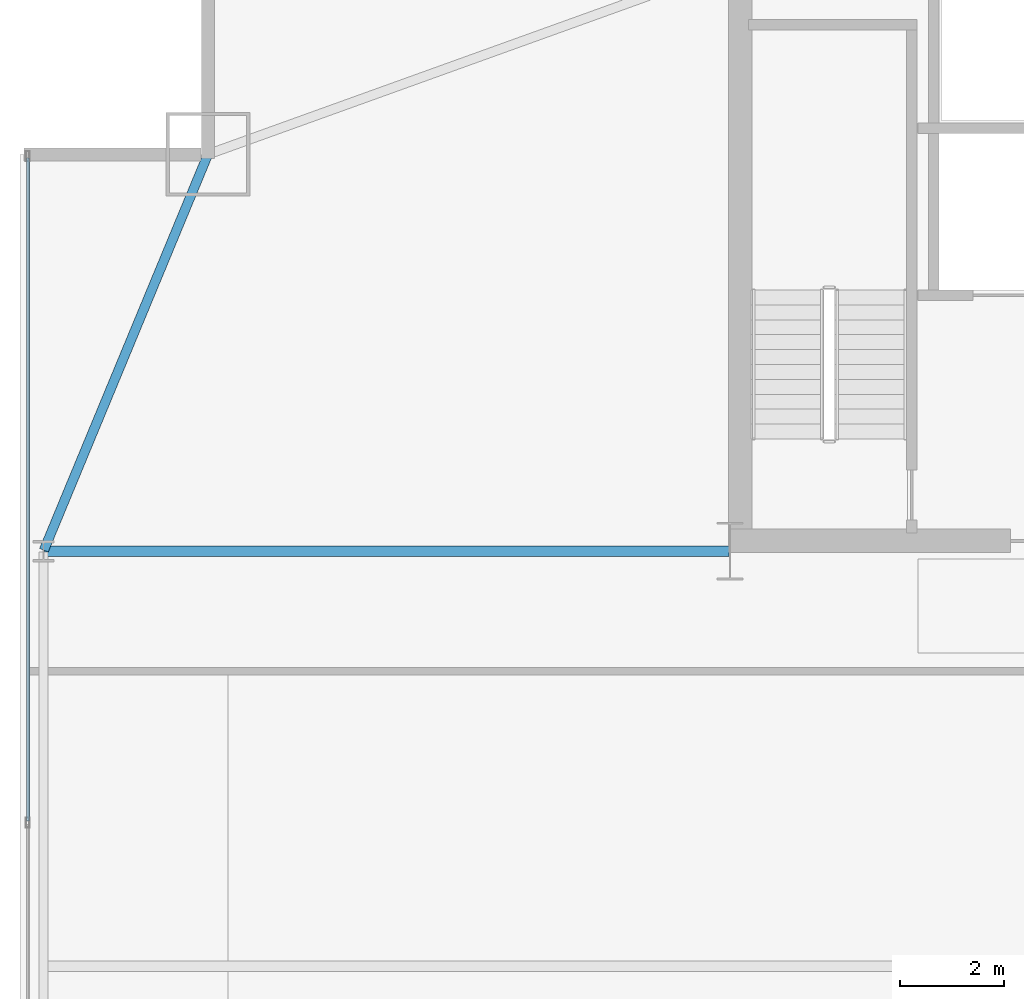
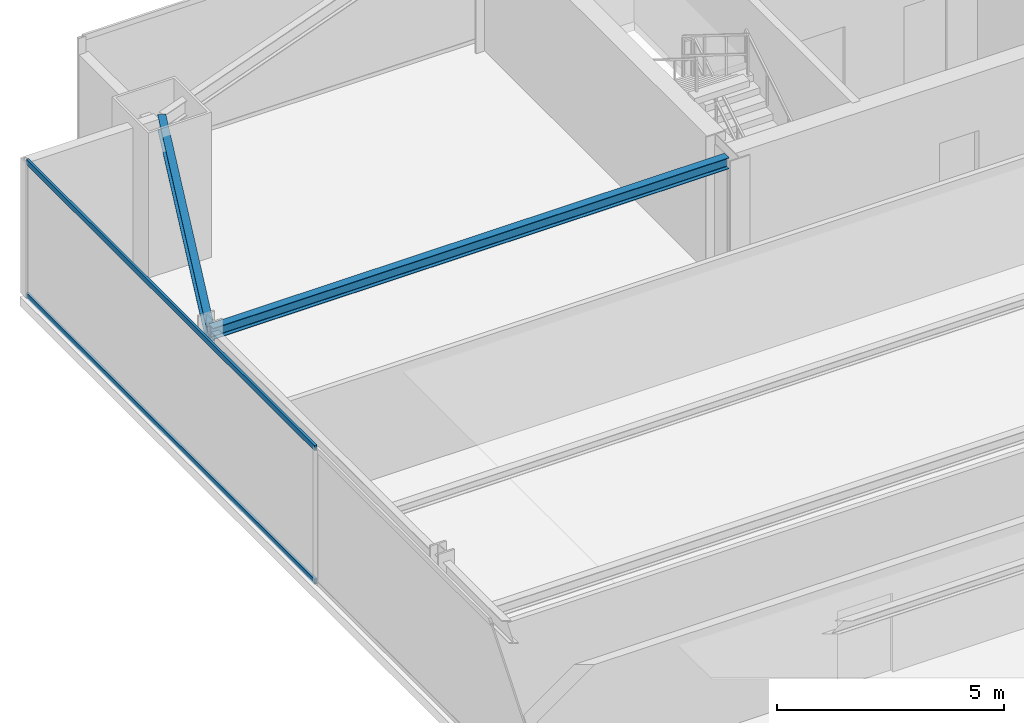
# One storey, part 19 of 31: 2 beams, 2 members, 1 element without a shape of its own.
"""IFC4 building model written with IfcOpenShell, lengths in metres."""

import ifcopenshell
import ifcopenshell.guid

model = None  # the IFC model being written
_history = None  # IfcOwnerHistory: only IFC2X3 demands one
_inside = {}  # id of a spatial element -> (the spatial element, [elements in it])
_under = {}  # id of a project, library or spatial element -> (it, [spatial elements below it])
_declared = {}  # id of a project -> (the project, [libraries it declares])
_typed = {}  # id of a type object -> (the type object, [elements of that type])
_made_of = {}  # id of a material, layer set ... -> (it, [elements and type objects made of it])


def new_model(schema):
    """Start an empty IFC model of exactly this schema.

    Asked for "IFC4X3", IfcOpenShell would pick the latest addendum, in which some entities
    have other attributes; the version numbers below select the first issue.
    IFC2X3 requires an IfcOwnerHistory on every rooted entity: one is made here for all.
    """
    global model, _history
    if schema == "IFC4X3":
        model = ifcopenshell.file(schema_version=(4, 3, 0, 0))
    else:
        model = ifcopenshell.file(schema=schema)
    _inside.clear()
    _under.clear()
    _declared.clear()
    _typed.clear()
    _made_of.clear()
    _history = None
    if model.schema == "IFC2X3":
        org = make("IfcOrganization", Name="unknown")
        user = make(
            "IfcPersonAndOrganization",
            ThePerson=make("IfcPerson", FamilyName="unknown"),
            TheOrganization=org,
        )
        app = make(
            "IfcApplication",
            ApplicationDeveloper=org,
            Version="unknown",
            ApplicationFullName="unknown",
            ApplicationIdentifier="unknown",
        )
        _history = make(
            "IfcOwnerHistory",
            OwningUser=user,
            OwningApplication=app,
            ChangeAction="ADDED",
            CreationDate=0,
        )
    return model


def make(cls, **values):
    """One entity of the class cls with the attributes given. An attribute that is None is left unset."""
    return model.create_entity(
        cls, **{name: value for name, value in values.items() if value is not None}
    )


def rooted(cls, **values):
    """An entity with a GlobalId (a new one), such as an element, a storey or a relation."""
    return make(cls, GlobalId=ifcopenshell.guid.new(), OwnerHistory=_history, **values)


def si_unit(unit_type, name, prefix=None):
    """IfcSIUnit, for example si_unit("LENGTHUNIT", "METRE", prefix="MILLI")."""
    return make("IfcSIUnit", UnitType=unit_type, Prefix=prefix, Name=name)


def assignment(units):
    """IfcUnitAssignment: the units of a project."""
    return None if units is None else make("IfcUnitAssignment", Units=units)


def point(xyz):
    """IfcCartesianPoint."""
    return None if xyz is None else make("IfcCartesianPoint", Coordinates=xyz)


def direction(xyz):
    """IfcDirection."""
    return None if xyz is None else make("IfcDirection", DirectionRatios=xyz)


def frame(location, z_axis=None, x_axis=None):
    """IfcAxis2Placement3D, a coordinate frame: its origin and axes. An axis left out is left unset."""
    return make(
        "IfcAxis2Placement3D",
        Location=point(location),
        Axis=direction(z_axis),
        RefDirection=direction(x_axis),
    )


def frame_2d(location, x_axis=None):
    """IfcAxis2Placement2D, a coordinate frame in the plane: its origin and x axis."""
    return make(
        "IfcAxis2Placement2D", Location=point(location), RefDirection=direction(x_axis)
    )


def origin():
    """The frame at (0, 0, 0) with its axes left unset."""
    return frame((0.0, 0.0, 0.0))


def origin_2d():
    """The frame at (0, 0) in the plane with its x axis left unset."""
    return frame_2d((0.0, 0.0))


def place(relative_to, where):
    """IfcLocalPlacement: puts the frame where relative to a parent placement (None: the world)."""
    return make(
        "IfcLocalPlacement", PlacementRelTo=relative_to, RelativePlacement=where
    )


def context(
    kind, dimensions, precision=None, world=None, true_north=None, identifier=None
):
    """IfcGeometricRepresentationContext, for example the 3D "Model" context."""
    return make(
        "IfcGeometricRepresentationContext",
        ContextIdentifier=identifier,
        ContextType=kind,
        CoordinateSpaceDimension=dimensions,
        Precision=precision,
        WorldCoordinateSystem=world,
        TrueNorth=true_north,
    )


def subcontext(parent, identifier, kind, view, scale=None):
    """IfcGeometricRepresentationSubContext, for example "Body" below "Model"."""
    return make(
        "IfcGeometricRepresentationSubContext",
        ContextIdentifier=identifier,
        ContextType=kind,
        ParentContext=parent,
        TargetScale=scale,
        TargetView=view,
    )


def project(units=None, contexts=None):
    """IfcProject with its units and contexts."""
    return rooted(
        "IfcProject",
        Name="project",
        RepresentationContexts=contexts,
        UnitsInContext=assignment(units),
    )


def spatial(cls, under=None, at=None, **own):
    """A site, building, storey or space (cls), placed at a placement, below another one or the project."""
    s = rooted(cls, ObjectPlacement=at, **own)
    if under is not None:
        _under.setdefault(under.id(), (under, []))[1].append(s)
    return s


def profile(cls, at=None, kind="AREA", **sizes):
    """A parametric profile (cls). Its sizes go by their IFC names, for example OverallWidth=200.0."""
    return make(cls, ProfileType=kind, Position=at, **sizes)


def hollow_rectangle(**sizes):
    """IfcRectangleHollowProfileDef."""
    return profile("IfcRectangleHollowProfileDef", **sizes)


def i_section(**sizes):
    """IfcIShapeProfileDef."""
    return profile("IfcIShapeProfileDef", **sizes)


def extrude(swept, where, along, depth):
    """IfcExtrudedAreaSolid: the profile swept, set in the frame where, extruded along a direction by depth."""
    return make(
        "IfcExtrudedAreaSolid",
        SweptArea=swept,
        Position=where,
        ExtrudedDirection=direction(along),
        Depth=depth,
    )


def shape(context_of_items, identifier, shape_type, items):
    """IfcShapeRepresentation: the items that make up one representation, for example the "Body"."""
    return make(
        "IfcShapeRepresentation",
        ContextOfItems=context_of_items,
        RepresentationIdentifier=identifier,
        RepresentationType=shape_type,
        Items=items,
    )


def source(mapping_origin, context_of_items, identifier, shape_type, items):
    """IfcRepresentationMap: a shape defined once, which mapped items show again and again."""
    return make(
        "IfcRepresentationMap",
        MappingOrigin=mapping_origin,
        MappedRepresentation=shape(context_of_items, identifier, shape_type, items),
    )


def transform(
    local_origin,
    x_axis=None,
    y_axis=None,
    z_axis=None,
    scale=None,
    scale2=None,
    scale3=None,
    uniform=True,
):
    """IfcCartesianTransformationOperator3D, or its non-uniform kind. x_axis, y_axis, z_axis: its Axis1, 2, 3."""
    if uniform:
        return make(
            "IfcCartesianTransformationOperator3D",
            Axis1=direction(x_axis),
            Axis2=direction(y_axis),
            LocalOrigin=point(local_origin),
            Scale=scale,
            Axis3=direction(z_axis),
        )
    return make(
        "IfcCartesianTransformationOperator3DnonUniform",
        Axis1=direction(x_axis),
        Axis2=direction(y_axis),
        LocalOrigin=point(local_origin),
        Scale=scale,
        Axis3=direction(z_axis),
        Scale2=scale2,
        Scale3=scale3,
    )


def mapped(mapping_source, mapping_target):
    """IfcMappedItem: shows the shape of a source again, moved by a transform."""
    return make(
        "IfcMappedItem", MappingSource=mapping_source, MappingTarget=mapping_target
    )


def material(Name=None, Category=None):
    """IfcMaterial."""
    return make("IfcMaterial", Name=Name, Category=Category)


def layer(
    of_material, thickness, ventilated=None, Name=None, Category=None, Priority=None
):
    """IfcMaterialLayer: one layer of a wall or slab, of a material (None: an air gap)."""
    return make(
        "IfcMaterialLayer",
        Material=of_material,
        LayerThickness=thickness,
        IsVentilated=ventilated,
        Name=Name,
        Category=Category,
        Priority=Priority,
    )


def layer_set(layers, Name=None):
    """IfcMaterialLayerSet."""
    return make("IfcMaterialLayerSet", MaterialLayers=layers, LayerSetName=Name)


def material_profile(
    of_material, cross_section, Name=None, Category=None, Priority=None
):
    """IfcMaterialProfile: a cross section and its material."""
    return make(
        "IfcMaterialProfile",
        Name=Name,
        Material=of_material,
        Profile=cross_section,
        Priority=Priority,
        Category=Category,
    )


def profile_set(profiles, Name=None, composite=None):
    """IfcMaterialProfileSet."""
    return make(
        "IfcMaterialProfileSet",
        Name=Name,
        MaterialProfiles=profiles,
        CompositeProfile=composite,
    )


def made_of(thing, what):
    """Note that an element or type object is made of a material, layer set ...; save() writes the relation."""
    if what is not None:
        _made_of.setdefault(what.id(), (what, []))[1].append(thing)
    return thing


def type_object(cls, material=None, **own):
    """A type object (cls), such as IfcWallType, which elements share."""
    return made_of(rooted(cls, **own), material)


def type_shapes(of_type, sources):
    """Give a type object the sources (RepresentationMaps) that its elements show as mapped items."""
    of_type.RepresentationMaps = sources


def element(
    cls,
    number,
    at=None,
    inside=None,
    cuts=None,
    type_object=None,
    material=None,
    context=None,
    identifier="Body",
    shape_type=None,
    held_by="IfcProductDefinitionShape",
    body=None,
    shapes=None,
    **own,
):
    """One element of the class cls, such as IfcWall. Its Tag is "e" and its number.

    at: its placement. inside: the storey or other place that contains it. cuts: it is an
    opening in that element (IfcRelVoidsElement). A single representation is given by context,
    identifier, shape_type and body (its items); several are given by shapes. held_by: the class
    of the entity that holds the representations. save() writes the other relations.
    """
    e = rooted(cls, Tag="e%d" % number, ObjectPlacement=at, **own)
    if body is not None:
        shapes = [shape(context, identifier, shape_type, body)]
    if shapes is not None:
        e.Representation = make(held_by, Representations=shapes)
    if inside is not None:
        _inside.setdefault(inside.id(), (inside, []))[1].append(e)
    if cuts is not None:
        rooted(
            "IfcRelVoidsElement", RelatingBuildingElement=cuts, RelatedOpeningElement=e
        )
    if type_object is not None:
        _typed.setdefault(type_object.id(), (type_object, []))[1].append(e)
    return made_of(e, material)


def aggregate(whole, parts):
    """IfcRelAggregates: a whole, such as a stair, and the parts it consists of."""
    return rooted("IfcRelAggregates", RelatingObject=whole, RelatedObjects=parts)


def save(model, path):
    """Write the relations noted so far, then the file.

    IfcRelAggregates (storeys below a building ...), IfcRelContainedInSpatialStructure (elements
    in a storey), IfcRelDefinesByType, IfcRelAssociatesMaterial and IfcRelDeclares: one each for
    every whole, place, type object, material and project.
    """
    for whole, parts in _under.values():
        aggregate(whole, parts)
    for where, things in _inside.values():
        rooted(
            "IfcRelContainedInSpatialStructure",
            RelatedElements=things,
            RelatingStructure=where,
        )
    for kind, things in _typed.values():
        rooted("IfcRelDefinesByType", RelatedObjects=things, RelatingType=kind)
    for what, things in _made_of.values():
        rooted("IfcRelAssociatesMaterial", RelatedObjects=things, RelatingMaterial=what)
    for by, libraries in _declared.values():
        rooted("IfcRelDeclares", RelatingContext=by, RelatedDefinitions=libraries)
    model.write(path)


model = new_model("IFC4")

# Units and contexts
model_context = context("Model", 3, precision=1e-05, world=origin(), true_north=direction((0.0, 1.0)))
body_context = subcontext(model_context, "Body", "Model", "MODEL_VIEW")
ifc_project = project(units=[si_unit("LENGTHUNIT", "METRE"), si_unit("AREAUNIT", "SQUARE_METRE"), si_unit("VOLUMEUNIT", "CUBIC_METRE"), si_unit("PLANEANGLEUNIT", "RADIAN"), si_unit("MASSUNIT", "GRAM", prefix="KILO")], contexts=[model_context])

# Site, building, storey
site_placement = place(None, origin())
site = spatial("IfcSite", under=ifc_project, at=site_placement, CompositionType="ELEMENT")
building_placement = place(site_placement, origin())
building = spatial("IfcBuilding", under=site, at=building_placement, Name="Varnel Quay Broadcast Tower", CompositionType="ELEMENT")
storey_placement = place(building_placement, frame((0.0, 0.0, 51.0)))
storey = spatial("IfcBuildingStorey", under=building, at=storey_placement, Name="L11", CompositionType="ELEMENT", Elevation=51.0)

# Beams
ifc_material_1 = material(Name="Structural Steel CSA G40.21 350W", Category="steel")
ifc_material_profile_1 = material_profile(ifc_material_1, i_section(OverallWidth=0.180908203125, OverallDepth=0.4169921875, WebThickness=0.010986328125, FlangeThickness=0.018310546875, FilletRadius=0.011962890625, at=origin_2d()), Name="W410X85")
ifc_profile_set_1 = profile_set([ifc_material_profile_1], Name="Structural Steel CSA G40.21 350W")
beam_type_1 = type_object("IfcBeamType", Name="Beam_W410X85", PredefinedType="SPANDREL", material=ifc_profile_set_1)
shared_shape_1 = source(origin(), body_context, "Body", "SweptSolid", [
    extrude(i_section(OverallWidth=0.180908203125, OverallDepth=0.4169921875, WebThickness=0.010986328125, FlangeThickness=0.018310546875, FilletRadius=0.011962890625, at=origin_2d()), origin(), (0.0, 0.0, 1.0), 8.186767578125),
])
type_shapes(beam_type_1, [shared_shape_1])
beam_1_placement = place(storey_placement, frame((2.457763671875, 35.618408203125, 3.44140625), z_axis=(0.382874132092, 0.923800519038, 0.0), x_axis=(-0.923800519038, 0.382874132092, 0.0)))
element("IfcBeam", 1, at=beam_1_placement, inside=storey, type_object=beam_type_1, Name="L11 West Spandrel TC-W3-MC-NW", PredefinedType="SPANDREL", context=body_context, shape_type="MappedRepresentation", body=[
    mapped(shared_shape_1, transform((0.0, 0.0, 0.0), x_axis=(1.0, 0.0, 0.0), y_axis=(0.0, 1.0, 0.0), z_axis=(0.0, 0.0, 1.0), scale=1.0)),
])
ifc_material_profile_2 = material_profile(ifc_material_1, i_section(OverallWidth=0.202880859375, OverallDepth=0.302978515625, WebThickness=0.007568359375, FlangeThickness=0.01318359375, FilletRadius=0.011962890625, at=origin_2d()), Name="W310X60")
ifc_profile_set_2 = profile_set([ifc_material_profile_2], Name="Structural Steel CSA G40.21 350W")
beam_type_2 = type_object("IfcBeamType", Name="Beam_W310X60", PredefinedType="JOIST", material=ifc_profile_set_2)
shared_shape_2 = source(origin(), body_context, "Body", "SweptSolid", [
    extrude(i_section(OverallWidth=0.202880859375, OverallDepth=0.302978515625, WebThickness=0.007568359375, FlangeThickness=0.01318359375, FilletRadius=0.011962890625, at=origin_2d()), origin(), (0.0, 0.0, 1.0), 13.110107421875),
])
type_shapes(beam_type_2, [shared_shape_2])
beam_2_placement = place(storey_placement, frame((2.469970703125, 35.60009765625, 3.49853515625), z_axis=(1.0, 0.0, 0.0), x_axis=(0.0, 1.0, 0.0)))
element("IfcBeam", 2, at=beam_2_placement, inside=storey, type_object=beam_type_2, Name="L11 West Core Tie Joist", PredefinedType="JOIST", context=body_context, shape_type="MappedRepresentation", body=[
    mapped(shared_shape_2, transform((0.0, 0.0, 0.0), x_axis=(1.0, 0.0, 0.0), y_axis=(0.0, 1.0, 0.0), z_axis=(0.0, 0.0, 1.0), scale=1.0)),
])

# Curtain wall, members
ifc_material_2 = material(Name="Anodised Bronze Aluminium 6063-T6", Category="aluminium")
ifc_layer = layer(ifc_material_2, 0.18994140625, Name="Anodised Bronze Aluminium 6063-T6")
ifc_layer_set = layer_set([ifc_layer], Name="Anodised Bronze Aluminium 6063-T6")
curtain_wall_type = type_object("IfcCurtainWallType", Name="CW_LowerTower", PredefinedType="NOTDEFINED", material=ifc_layer_set)
curtain_wall_placement = place(storey_placement, origin())
curtain_wall = element("IfcCurtainWall", 3, at=curtain_wall_placement, inside=storey, type_object=curtain_wall_type, Name="L11 West Unitised Curtain Wall", PredefinedType="NOTDEFINED")
ifc_material_profile_3 = material_profile(ifc_material_2, hollow_rectangle(XDim=0.06005859375, YDim=0.14501953125, WallThickness=0.00341796875, at=origin_2d()), Name="ALU60X145X3.5")
ifc_profile_set_3 = profile_set([ifc_material_profile_3], Name="Anodised Bronze Aluminium 6063-T6")
member_type = type_object("IfcMemberType", Name="Tran_CWS-02", PredefinedType="USERDEFINED", material=ifc_profile_set_3)
shared_shape_3 = source(origin(), body_context, "Body", "SweptSolid", [
    extrude(hollow_rectangle(XDim=0.06005859375, YDim=0.14501953125, WallThickness=0.00341796875, at=origin_2d()), origin(), (0.0, 0.0, 1.0), 12.69482421875),
])
type_shapes(member_type, [shared_shape_3])
member_1_placement = place(storey_placement, frame((2.14990234375, 30.43505859375, 0.030029296875), z_axis=(0.0, 1.0, 0.0), x_axis=(-1.0, 0.0, 0.0)))
member_1 = element("IfcMember", 4, at=member_1_placement, type_object=member_type, Name="CWS-02 transom 3.1", ObjectType="TRANSOM", PredefinedType="USERDEFINED", context=body_context, shape_type="MappedRepresentation", body=[
    mapped(shared_shape_3, transform((0.0, 0.0, 0.0), x_axis=(1.0, 0.0, 0.0), y_axis=(0.0, 1.0, 0.0), z_axis=(0.0, 0.0, 1.0), scale=1.0)),
])
member_2_placement = place(storey_placement, frame((2.14990234375, 30.43505859375, 3.6201171875), z_axis=(0.0, 1.0, 0.0), x_axis=(-1.0, 0.0, 0.0)))
member_2 = element("IfcMember", 5, at=member_2_placement, type_object=member_type, Name="CWS-02 transom 3.2", ObjectType="TRANSOM", PredefinedType="USERDEFINED", context=body_context, shape_type="MappedRepresentation", body=[
    mapped(shared_shape_3, transform((0.0, 0.0, 0.0), x_axis=(1.0, 0.0, 0.0), y_axis=(0.0, 1.0, 0.0), z_axis=(0.0, 0.0, 1.0), scale=1.0)),
])
aggregate(curtain_wall, [member_1, member_2])

save(model, "model.ifc")
